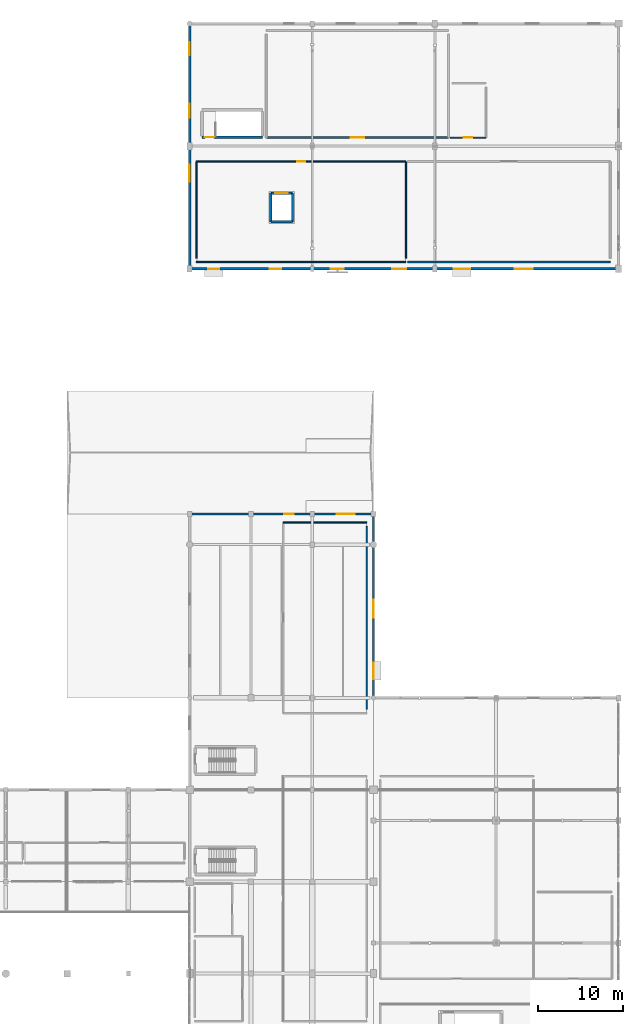
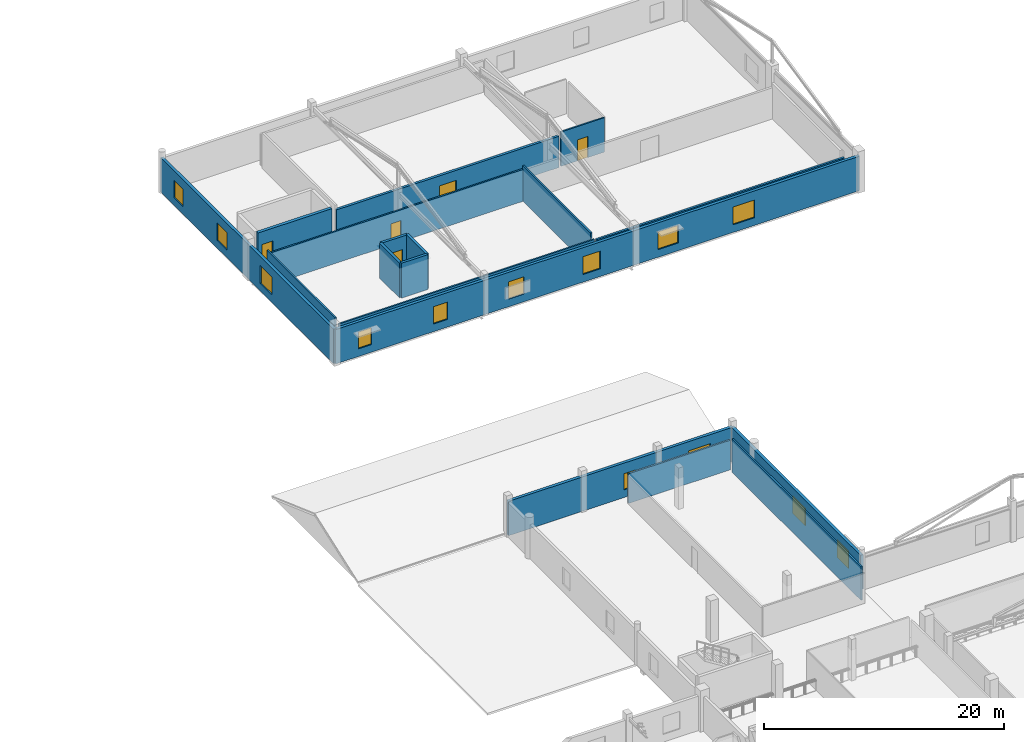
# One storey, part 71 of 92: 18 walls, 13 windows, 5 doors, 18 openings.
"""IFC4 building model written with IfcOpenShell, lengths in metres."""

from ifc_helpers import new_model, si_unit, direction, frame, frame_2d, origin, place, context, subcontext, project, spatial, rectangle, extrude, material, layer, layer_set, type_object, element, fill, save


model = new_model("IFC4")

# Units and contexts
model_context = context("Model", 3, precision=1e-05, world=origin(), true_north=direction((0.0, 1.0)))
body_context = subcontext(model_context, "Body", "Model", "MODEL_VIEW")
ifc_project = project(units=[si_unit("LENGTHUNIT", "METRE"), si_unit("AREAUNIT", "SQUARE_METRE"), si_unit("VOLUMEUNIT", "CUBIC_METRE"), si_unit("PLANEANGLEUNIT", "RADIAN"), si_unit("MASSUNIT", "GRAM", prefix="KILO")], contexts=[model_context])

# Site, building, storey
site_placement = place(None, origin())
site = spatial("IfcSite", under=ifc_project, at=site_placement, CompositionType="ELEMENT")
building_placement = place(site_placement, origin())
building = spatial("IfcBuilding", under=site, at=building_placement, Name="Solanera Park Tramway Depot", CompositionType="ELEMENT")
storey_placement = place(building_placement, frame((0.0, 0.0, 4.800048828125)))
storey = spatial("IfcBuildingStorey", under=building, at=storey_placement, Name="L01", CompositionType="ELEMENT", Elevation=4.800048828125)

# Walls
ifc_material_1 = material(Name="Concrete N32 (C32/40)", Category="concrete")
ifc_layer_1 = layer(ifc_material_1, 0.14990234375)
ifc_layer_set_1 = layer_set([ifc_layer_1], Name="Concrete N32 (C32/40)")
wall_type_1 = type_object("IfcWallType", Name="Acoustic Partition 150", PredefinedType="PARTITIONING", material=ifc_layer_set_1)
wall_1_placement = place(storey_placement, frame((191.0, 116.0, 0.0), z_axis=(0.0, 0.0, 1.0), x_axis=(-1.0, 0.0, 0.0)))
element("IfcWall", 1, at=wall_1_placement, inside=storey, type_object=wall_type_1, Name="Substation Protection and SCADA Room Dividing Wall", PredefinedType="PARTITIONING", context=body_context, shape_type="SweptSolid", body=[
    extrude(rectangle(XDim=24.60009765625, YDim=0.14990234375, at=frame_2d((12.300048828125, 0.0))), origin(), (0.0, 0.0, 1.0), 3.2529296875),
])
for number, where, z_axis, x_axis, name in (
    (2, (191.0, 116.449951171875, 0.0), (0.0, 0.0, 1.0), (0.0, 1.0, 0.0), "Substation Protection and SCADA Room Dividing Wall"),
    (3, (166.39990234375, 127.800048828125, 0.0), (0.0, 0.0, 1.0), (0.0, -1.0, 0.0), "Substation Protection and SCADA Room Dividing Wall"),
):
    element("IfcWall", number, at=place(storey_placement, frame(where, z_axis=z_axis, x_axis=x_axis)), inside=storey, type_object=wall_type_1, Name=name, PredefinedType="PARTITIONING", context=body_context, shape_type="SweptSolid", body=[
        extrude(rectangle(XDim=11.35009765625, YDim=0.14990234375, at=frame_2d((5.675048828125, 0.0))), origin(), (0.0, 0.0, 1.0), 3.599853515625),
    ])

# Wall, opening, door
wall_2_placement = place(storey_placement, frame((166.39990234375, 127.800048828125, 0.0), z_axis=(0.0, 0.0, 1.0), x_axis=(1.0, 0.0, 0.0)))
wall_2 = element("IfcWall", 4, at=wall_2_placement, inside=storey, type_object=wall_type_1, Name="Substation Protection and SCADA Room Corridor Wall", PredefinedType="PARTITIONING", context=body_context, shape_type="SweptSolid", body=[
    extrude(rectangle(XDim=24.60009765625, YDim=0.14990234375, at=frame_2d((12.300048828125, 0.0))), origin(), (0.0, 0.0, 1.0), 3.2529296875),
])
opening_1_placement = place(wall_2_placement, frame((11.820068359375, 0.0, 0.0)))
opening_1 = element("IfcOpeningElement", 5, at=opening_1_placement, cuts=wall_2, Name="Opening ID-O1L", PredefinedType="OPENING", context=body_context, shape_type="SweptSolid", body=[
    extrude(rectangle(XDim=0.9599609375, YDim=2.14990234375, at=frame_2d((0.47998046875, 1.074951171875))), frame((0.0, 0.0849609375, 0.0), z_axis=(0.0, -1.0, 0.0), x_axis=(1.0, 0.0, 0.0)), (0.0, 0.0, 1.0), 0.169921875),
])
ifc_material_2 = material(Name="Fire-rated steel or solid-core hardwood door leaf", Category="steel")
door_type_1 = type_object("IfcDoorType", Name="Office Single Door L 960x2150", OperationType="SINGLE_SWING_LEFT", PredefinedType="DOOR", material=ifc_material_2)
door_1_placement = place(opening_1_placement, origin())
door_1 = element("IfcDoor", 6, at=door_1_placement, inside=storey, type_object=door_type_1, Name="Substation Protection and SCADA Room Door", OperationType="SINGLE_SWING_LEFT", OverallHeight=2.14990234375, OverallWidth=0.9599609375, PredefinedType="DOOR", context=body_context, shape_type="SweptSolid", body=[
    extrude(rectangle(XDim=0.9599609375, YDim=2.14990234375, at=frame_2d((0.47998046875, 1.074951171875))), frame((0.0, 0.02490234375, 0.0), z_axis=(0.0, -1.0, 0.0), x_axis=(1.0, 0.0, 0.0)), (0.0, 0.0, 1.0), 0.050048828125),
])
fill(opening_1, door_1)

# Walls
wall_3_placement = place(storey_placement, frame((176.60009765625, 85.39990234375, 0.0), z_axis=(0.0, 0.0, 1.0), x_axis=(1.0, 0.0, 0.0)))
element("IfcWall", 7, at=wall_3_placement, inside=storey, type_object=wall_type_1, Name="Rolling Stock Reliability Records Office Dividing Wall", PredefinedType="PARTITIONING", context=body_context, shape_type="SweptSolid", body=[
    extrude(rectangle(XDim=9.7998046875, YDim=0.14990234375, at=frame_2d((4.89990234375, 0.0))), origin(), (0.0, 0.0, 1.0), 3.0068359375),
])
wall_4_placement = place(storey_placement, frame((186.39990234375, 63.449951171875, 0.0), z_axis=(0.0, 0.0, 1.0), x_axis=(0.0, 1.0, 0.0)))
element("IfcWall", 8, at=wall_4_placement, inside=storey, type_object=wall_type_1, Name="Rolling Stock Reliability Records Office Dividing Wall", PredefinedType="PARTITIONING", context=body_context, shape_type="SweptSolid", body=[
    extrude(rectangle(XDim=21.5, YDim=0.14990234375, at=frame_2d((10.75, 0.0))), origin(), (0.0, 0.0, 1.0), 3.406982421875),
])

# Wall, opening, door
ifc_material_3 = material(Name="Concrete N40 (C40/50)", Category="concrete")
ifc_layer_2 = layer(ifc_material_3, 0.300048828125)
ifc_layer_set_2 = layer_set([ifc_layer_2], Name="Concrete N40 (C40/50)")
wall_type_2 = type_object("IfcWallType", Name="Core Shear Wall 300", PredefinedType="SHEAR", material=ifc_layer_set_2)
wall_5_placement = place(storey_placement, frame((167.050048828125, 130.64990234375, 0.0), z_axis=(0.0, 0.0, 1.0), x_axis=(1.0, 0.0, 0.0)))
wall_5 = element("IfcWall", 9, at=wall_5_placement, inside=storey, type_object=wall_type_2, Name="ST-11 L01 Shear Core Wall S", PredefinedType="SHEAR", context=body_context, shape_type="SweptSolid", body=[
    extrude(rectangle(XDim=7.099853515625, YDim=0.300048828125, at=frame_2d((3.5498046875, 0.0))), origin(), (0.0, 0.0, 1.0), 3.449951171875),
])
opening_2_placement = place(wall_5_placement, frame((0.35009765625, 0.0, 0.0)))
opening_2 = element("IfcOpeningElement", 10, at=opening_2_placement, cuts=wall_5, Name="Opening FD-S1R", PredefinedType="OPENING", context=body_context, shape_type="SweptSolid", body=[
    extrude(rectangle(XDim=1.070068359375, YDim=2.14990234375, at=frame_2d((0.53515625, 1.074951171875))), frame((0.0, 0.16015625, 0.0), z_axis=(0.0, -1.0, 0.0), x_axis=(1.0, 0.0, 0.0)), (0.0, 0.0, 1.0), 0.320068359375),
])
ifc_material_4 = material(Name="Fire-rated steel or solid-core hardwood door leaf", Category="steel")
door_type_2 = type_object("IfcDoorType", Name="Stair Fire Door R 1070x2150", OperationType="SINGLE_SWING_RIGHT", PredefinedType="DOOR", material=ifc_material_4)
door_2_placement = place(opening_2_placement, origin())
door_2 = element("IfcDoor", 11, at=door_2_placement, inside=storey, type_object=door_type_2, Name="ST-11 L01 Stair Fire Door", OperationType="SINGLE_SWING_RIGHT", OverallHeight=2.14990234375, OverallWidth=1.070068359375, PredefinedType="DOOR", context=body_context, shape_type="SweptSolid", body=[
    extrude(rectangle(XDim=1.070068359375, YDim=2.14990234375, at=frame_2d((0.53515625, 1.074951171875))), frame((0.0, 0.02490234375, 0.0), z_axis=(0.0, -1.0, 0.0), x_axis=(1.0, 0.0, 0.0)), (0.0, 0.0, 1.0), 0.050048828125),
])
fill(opening_2, door_2)

# Wall, openings, windows
ifc_material_5 = material(Name="Concrete N32 (C32/40)", Category="concrete")
ifc_layer_3 = layer(ifc_material_5, 0.280029296875)
ifc_layer_set_3 = layer_set([ifc_layer_3], Name="Concrete N32 (C32/40)")
wall_type_3 = type_object("IfcWallType", Name="Ext Stucco Wall 280", PredefinedType="SOLIDWALL", material=ifc_layer_set_3)
wall_6_placement = place(storey_placement, frame((165.60009765625, 115.199951171875, 0.0), z_axis=(0.0, 0.0, 1.0), x_axis=(1.0, 0.0, 0.0)))
wall_6 = element("IfcWall", 12, at=wall_6_placement, inside=storey, type_object=wall_type_3, Name="L01 Exterior Wall #015", PredefinedType="SOLIDWALL", context=body_context, shape_type="SweptSolid", body=[
    extrude(rectangle(XDim=50.39990234375, YDim=0.280029296875, at=frame_2d((25.199951171875, 0.0))), origin(), (0.0, 0.0, 1.0), 3.5),
])
opening_3_placement = place(wall_6_placement, frame((2.199951171875, 0.0, 0.780029296875)))
opening_3 = element("IfcOpeningElement", 13, at=opening_3_placement, cuts=wall_6, Name="Opening WN-C12", PredefinedType="OPENING", context=body_context, shape_type="SweptSolid", body=[
    extrude(rectangle(XDim=1.25, YDim=1.699951171875, at=frame_2d((0.625, 0.85009765625))), frame((0.0, 0.14990234375, 0.0), z_axis=(0.0, -1.0, 0.0), x_axis=(1.0, 0.0, 0.0)), (0.0, 0.0, 1.0), 0.300048828125),
])
opening_4_placement = place(wall_6_placement, frame((9.39990234375, 0.0, 0.780029296875)))
opening_4 = element("IfcOpeningElement", 14, at=opening_4_placement, cuts=wall_6, Name="Opening WN-C13", PredefinedType="OPENING", context=body_context, shape_type="SweptSolid", body=[
    extrude(rectangle(XDim=1.35009765625, YDim=1.75, at=frame_2d((0.675048828125, 0.875))), frame((0.0, 0.14990234375, 0.0), z_axis=(0.0, -1.0, 0.0), x_axis=(1.0, 0.0, 0.0)), (0.0, 0.0, 1.0), 0.300048828125),
])
opening_5_placement = place(wall_6_placement, frame((16.60009765625, 0.0, 0.780029296875)))
opening_5 = element("IfcOpeningElement", 15, at=opening_5_placement, cuts=wall_6, Name="Opening WN-C15", PredefinedType="OPENING", context=body_context, shape_type="SweptSolid", body=[
    extrude(rectangle(XDim=1.5, YDim=1.75, at=frame_2d((0.75, 0.875))), frame((0.0, 0.14990234375, 0.0), z_axis=(0.0, -1.0, 0.0), x_axis=(1.0, 0.0, 0.0)), (0.0, 0.0, 1.0), 0.300048828125),
])
opening_6_placement = place(wall_6_placement, frame((23.800048828125, 0.0, 0.780029296875)))
opening_6 = element("IfcOpeningElement", 16, at=opening_6_placement, cuts=wall_6, Name="Opening WN-C16", PredefinedType="OPENING", context=body_context, shape_type="SweptSolid", body=[
    extrude(rectangle(XDim=1.64990234375, YDim=1.800048828125, at=frame_2d((0.824951171875, 0.89990234375))), frame((0.0, 0.14990234375, 0.0), z_axis=(0.0, -1.0, 0.0), x_axis=(1.0, 0.0, 0.0)), (0.0, 0.0, 1.0), 0.300048828125),
])
opening_7_placement = place(wall_6_placement, frame((31.0, 0.0, 0.780029296875)))
opening_7 = element("IfcOpeningElement", 17, at=opening_7_placement, cuts=wall_6, Name="Opening WN-C19", PredefinedType="OPENING", context=body_context, shape_type="SweptSolid", body=[
    extrude(rectangle(XDim=1.949951171875, YDim=1.800048828125, at=frame_2d((0.97509765625, 0.89990234375))), frame((0.0, 0.14990234375, 0.0), z_axis=(0.0, -1.0, 0.0), x_axis=(1.0, 0.0, 0.0)), (0.0, 0.0, 1.0), 0.300048828125),
])
opening_8_placement = place(wall_6_placement, frame((38.199951171875, 0.0, 0.780029296875)))
opening_8 = element("IfcOpeningElement", 18, at=opening_8_placement, cuts=wall_6, Name="Opening WN-C21", PredefinedType="OPENING", context=body_context, shape_type="SweptSolid", body=[
    extrude(rectangle(XDim=2.10009765625, YDim=1.800048828125, at=frame_2d((1.050048828125, 0.89990234375))), frame((0.0, 0.14990234375, 0.0), z_axis=(0.0, -1.0, 0.0), x_axis=(1.0, 0.0, 0.0)), (0.0, 0.0, 1.0), 0.300048828125),
])
ifc_material_6 = material(Name="Powder-coated aluminium frame with solar-control double glazing", Category="aluminium")
window_type_1 = type_object("IfcWindowType", Name="Cloister Casement Window 1250x1700", PartitioningType="SINGLE_PANEL", PredefinedType="WINDOW", material=ifc_material_6)
window_1_placement = place(opening_3_placement, origin())
window_1 = element("IfcWindow", 19, at=window_1_placement, inside=storey, type_object=window_type_1, Name="L01 Cloister Casement Window 1250x1700 #0076", OverallHeight=1.699951171875, OverallWidth=1.25, PartitioningType="SINGLE_PANEL", PredefinedType="WINDOW", context=body_context, shape_type="SweptSolid", body=[
    extrude(rectangle(XDim=1.25, YDim=1.699951171875, at=frame_2d((0.625, 0.85009765625))), frame((0.0, 0.030029296875, 0.0), z_axis=(0.0, -1.0, 0.0), x_axis=(1.0, 0.0, 0.0)), (0.0, 0.0, 1.0), 0.06005859375),
])
fill(opening_3, window_1)
ifc_material_7 = material(Name="Powder-coated aluminium frame with solar-control double glazing", Category="aluminium")
window_type_2 = type_object("IfcWindowType", Name="Cloister Casement Window 1350x1750", PartitioningType="SINGLE_PANEL", PredefinedType="WINDOW", material=ifc_material_7)
window_2_placement = place(opening_4_placement, origin())
window_2 = element("IfcWindow", 20, at=window_2_placement, inside=storey, type_object=window_type_2, Name="L01 Cloister Casement Window 1350x1750 #0077", OverallHeight=1.75, OverallWidth=1.35009765625, PartitioningType="SINGLE_PANEL", PredefinedType="WINDOW", context=body_context, shape_type="SweptSolid", body=[
    extrude(rectangle(XDim=1.35009765625, YDim=1.75, at=frame_2d((0.675048828125, 0.875))), frame((0.0, 0.030029296875, 0.0), z_axis=(0.0, -1.0, 0.0), x_axis=(1.0, 0.0, 0.0)), (0.0, 0.0, 1.0), 0.06005859375),
])
fill(opening_4, window_2)
ifc_material_8 = material(Name="Powder-coated aluminium frame with solar-control double glazing", Category="aluminium")
window_type_3 = type_object("IfcWindowType", Name="Cloister Casement Window 1500x1750", PartitioningType="SINGLE_PANEL", PredefinedType="WINDOW", material=ifc_material_8)
window_3_placement = place(opening_5_placement, origin())
window_3 = element("IfcWindow", 21, at=window_3_placement, inside=storey, type_object=window_type_3, Name="L01 Cloister Casement Window 1500x1750 #0078", OverallHeight=1.75, OverallWidth=1.5, PartitioningType="SINGLE_PANEL", PredefinedType="WINDOW", context=body_context, shape_type="SweptSolid", body=[
    extrude(rectangle(XDim=1.5, YDim=1.75, at=frame_2d((0.75, 0.875))), frame((0.0, 0.030029296875, 0.0), z_axis=(0.0, -1.0, 0.0), x_axis=(1.0, 0.0, 0.0)), (0.0, 0.0, 1.0), 0.06005859375),
])
fill(opening_5, window_3)
ifc_material_9 = material(Name="Powder-coated aluminium frame with solar-control double glazing", Category="aluminium")
window_type_4 = type_object("IfcWindowType", Name="Cloister Casement Window 1650x1800", PartitioningType="SINGLE_PANEL", PredefinedType="WINDOW", material=ifc_material_9)
window_4_placement = place(opening_6_placement, origin())
window_4 = element("IfcWindow", 22, at=window_4_placement, inside=storey, type_object=window_type_4, Name="L01 Cloister Casement Window 1650x1800 #0079", OverallHeight=1.800048828125, OverallWidth=1.64990234375, PartitioningType="SINGLE_PANEL", PredefinedType="WINDOW", context=body_context, shape_type="SweptSolid", body=[
    extrude(rectangle(XDim=1.64990234375, YDim=1.800048828125, at=frame_2d((0.824951171875, 0.89990234375))), frame((0.0, 0.030029296875, 0.0), z_axis=(0.0, -1.0, 0.0), x_axis=(1.0, 0.0, 0.0)), (0.0, 0.0, 1.0), 0.06005859375),
])
fill(opening_6, window_4)
ifc_material_10 = material(Name="Powder-coated aluminium frame with solar-control double glazing", Category="aluminium")
window_type_5 = type_object("IfcWindowType", Name="Cloister Casement Window 1950x1800", PartitioningType="SINGLE_PANEL", PredefinedType="WINDOW", material=ifc_material_10)
window_5_placement = place(opening_7_placement, origin())
window_5 = element("IfcWindow", 23, at=window_5_placement, inside=storey, type_object=window_type_5, Name="L01 Cloister Casement Window 1950x1800 #0080", OverallHeight=1.800048828125, OverallWidth=1.949951171875, PartitioningType="SINGLE_PANEL", PredefinedType="WINDOW", context=body_context, shape_type="SweptSolid", body=[
    extrude(rectangle(XDim=1.949951171875, YDim=1.800048828125, at=frame_2d((0.97509765625, 0.89990234375))), frame((0.0, 0.030029296875, 0.0), z_axis=(0.0, -1.0, 0.0), x_axis=(1.0, 0.0, 0.0)), (0.0, 0.0, 1.0), 0.06005859375),
])
fill(opening_7, window_5)
ifc_material_11 = material(Name="Powder-coated aluminium frame with solar-control double glazing", Category="aluminium")
window_type_6 = type_object("IfcWindowType", Name="Cloister Casement Window 2100x1800", PartitioningType="SINGLE_PANEL", PredefinedType="WINDOW", material=ifc_material_11)
window_6_placement = place(opening_8_placement, origin())
window_6 = element("IfcWindow", 24, at=window_6_placement, inside=storey, type_object=window_type_6, Name="L01 Cloister Casement Window 2100x1800 #0081", OverallHeight=1.800048828125, OverallWidth=2.10009765625, PartitioningType="SINGLE_PANEL", PredefinedType="WINDOW", context=body_context, shape_type="SweptSolid", body=[
    extrude(rectangle(XDim=2.10009765625, YDim=1.800048828125, at=frame_2d((1.050048828125, 0.89990234375))), frame((0.0, 0.030029296875, 0.0), z_axis=(0.0, -1.0, 0.0), x_axis=(1.0, 0.0, 0.0)), (0.0, 0.0, 1.0), 0.06005859375),
])
fill(opening_8, window_6)

wall_7_placement = place(storey_placement, frame((165.60009765625, 144.0, 0.0), z_axis=(0.0, 0.0, 1.0), x_axis=(0.0, -1.0, 0.0)))
wall_7 = element("IfcWall", 25, at=wall_7_placement, inside=storey, type_object=wall_type_3, Name="L01 Exterior Wall #017", PredefinedType="SOLIDWALL", context=body_context, shape_type="SweptSolid", body=[
    extrude(rectangle(XDim=28.800048828125, YDim=0.280029296875, at=frame_2d((14.39990234375, 0.0))), origin(), (0.0, 0.0, 1.0), 3.5),
])
opening_9_placement = place(wall_7_placement, frame((2.199951171875, 0.0, 0.780029296875)))
opening_9 = element("IfcOpeningElement", 26, at=opening_9_placement, cuts=wall_7, Name="Opening WN-C15", PredefinedType="OPENING", context=body_context, shape_type="SweptSolid", body=[
    extrude(rectangle(XDim=1.5, YDim=1.75, at=frame_2d((0.75, 0.875))), frame((0.0, 0.14990234375, 0.0), z_axis=(0.0, -1.0, 0.0), x_axis=(1.0, 0.0, 0.0)), (0.0, 0.0, 1.0), 0.300048828125),
])
opening_10_placement = place(wall_7_placement, frame((9.39990234375, 0.0, 0.780029296875)))
opening_10 = element("IfcOpeningElement", 27, at=opening_10_placement, cuts=wall_7, Name="Opening WN-C16", PredefinedType="OPENING", context=body_context, shape_type="SweptSolid", body=[
    extrude(rectangle(XDim=1.64990234375, YDim=1.800048828125, at=frame_2d((0.824951171875, 0.89990234375))), frame((0.0, 0.14990234375, 0.0), z_axis=(0.0, -1.0, 0.0), x_axis=(1.0, 0.0, 0.0)), (0.0, 0.0, 1.0), 0.300048828125),
])
opening_11_placement = place(wall_7_placement, frame((16.60009765625, 0.0, 0.780029296875)))
opening_11 = element("IfcOpeningElement", 28, at=opening_11_placement, cuts=wall_7, Name="Opening WN-C19", PredefinedType="OPENING", context=body_context, shape_type="SweptSolid", body=[
    extrude(rectangle(XDim=1.949951171875, YDim=1.800048828125, at=frame_2d((0.97509765625, 0.89990234375))), frame((0.0, 0.14990234375, 0.0), z_axis=(0.0, -1.0, 0.0), x_axis=(1.0, 0.0, 0.0)), (0.0, 0.0, 1.0), 0.300048828125),
])
window_7_placement = place(opening_9_placement, origin())
window_7 = element("IfcWindow", 29, at=window_7_placement, inside=storey, type_object=window_type_3, Name="L01 Cloister Casement Window 1500x1750 #0088", OverallHeight=1.75, OverallWidth=1.5, PartitioningType="SINGLE_PANEL", PredefinedType="WINDOW", context=body_context, shape_type="SweptSolid", body=[
    extrude(rectangle(XDim=1.5, YDim=1.75, at=frame_2d((0.75, 0.875))), frame((0.0, 0.030029296875, 0.0), z_axis=(0.0, -1.0, 0.0), x_axis=(1.0, 0.0, 0.0)), (0.0, 0.0, 1.0), 0.06005859375),
])
fill(opening_9, window_7)
window_8_placement = place(opening_10_placement, origin())
window_8 = element("IfcWindow", 30, at=window_8_placement, inside=storey, type_object=window_type_4, Name="L01 Cloister Casement Window 1650x1800 #0089", OverallHeight=1.800048828125, OverallWidth=1.64990234375, PartitioningType="SINGLE_PANEL", PredefinedType="WINDOW", context=body_context, shape_type="SweptSolid", body=[
    extrude(rectangle(XDim=1.64990234375, YDim=1.800048828125, at=frame_2d((0.824951171875, 0.89990234375))), frame((0.0, 0.030029296875, 0.0), z_axis=(0.0, -1.0, 0.0), x_axis=(1.0, 0.0, 0.0)), (0.0, 0.0, 1.0), 0.06005859375),
])
fill(opening_10, window_8)
window_9_placement = place(opening_11_placement, origin())
window_9 = element("IfcWindow", 31, at=window_9_placement, inside=storey, type_object=window_type_5, Name="L01 Cloister Casement Window 1950x1800 #0090", OverallHeight=1.800048828125, OverallWidth=1.949951171875, PartitioningType="SINGLE_PANEL", PredefinedType="WINDOW", context=body_context, shape_type="SweptSolid", body=[
    extrude(rectangle(XDim=1.949951171875, YDim=1.800048828125, at=frame_2d((0.97509765625, 0.89990234375))), frame((0.0, 0.030029296875, 0.0), z_axis=(0.0, -1.0, 0.0), x_axis=(1.0, 0.0, 0.0)), (0.0, 0.0, 1.0), 0.06005859375),
])
fill(opening_11, window_9)

wall_8_placement = place(storey_placement, frame((187.199951171875, 64.800048828125, 0.0), z_axis=(0.0, 0.0, 1.0), x_axis=(0.0, 1.0, 0.0)))
wall_8 = element("IfcWall", 32, at=wall_8_placement, inside=storey, type_object=wall_type_3, Name="L01 Exterior Wall #026", PredefinedType="SOLIDWALL", context=body_context, shape_type="SweptSolid", body=[
    extrude(rectangle(XDim=21.599853515625, YDim=0.280029296875, at=frame_2d((10.7998046875, 0.0))), origin(), (0.0, 0.0, 1.0), 3.5),
])
opening_12_placement = place(wall_8_placement, frame((2.199951171875, 0.0, 0.780029296875)))
opening_12 = element("IfcOpeningElement", 33, at=opening_12_placement, cuts=wall_8, Name="Opening WN-C19", PredefinedType="OPENING", context=body_context, shape_type="SweptSolid", body=[
    extrude(rectangle(XDim=1.949951171875, YDim=1.800048828125, at=frame_2d((0.97509765625, 0.89990234375))), frame((0.0, 0.14990234375, 0.0), z_axis=(0.0, -1.0, 0.0), x_axis=(1.0, 0.0, 0.0)), (0.0, 0.0, 1.0), 0.300048828125),
])
opening_13_placement = place(wall_8_placement, frame((9.39990234375, 0.0, 0.780029296875)))
opening_13 = element("IfcOpeningElement", 34, at=opening_13_placement, cuts=wall_8, Name="Opening WN-C21", PredefinedType="OPENING", context=body_context, shape_type="SweptSolid", body=[
    extrude(rectangle(XDim=2.10009765625, YDim=1.800048828125, at=frame_2d((1.050048828125, 0.89990234375))), frame((0.0, 0.14990234375, 0.0), z_axis=(0.0, -1.0, 0.0), x_axis=(1.0, 0.0, 0.0)), (0.0, 0.0, 1.0), 0.300048828125),
])
window_10_placement = place(opening_12_placement, origin())
window_10 = element("IfcWindow", 35, at=window_10_placement, inside=storey, type_object=window_type_5, Name="L01 Cloister Casement Window 1950x1800 #0124", OverallHeight=1.800048828125, OverallWidth=1.949951171875, PartitioningType="SINGLE_PANEL", PredefinedType="WINDOW", context=body_context, shape_type="SweptSolid", body=[
    extrude(rectangle(XDim=1.949951171875, YDim=1.800048828125, at=frame_2d((0.97509765625, 0.89990234375))), frame((0.0, 0.030029296875, 0.0), z_axis=(0.0, -1.0, 0.0), x_axis=(1.0, 0.0, 0.0)), (0.0, 0.0, 1.0), 0.06005859375),
])
fill(opening_12, window_10)
window_11_placement = place(opening_13_placement, origin())
window_11 = element("IfcWindow", 36, at=window_11_placement, inside=storey, type_object=window_type_6, Name="L01 Cloister Casement Window 2100x1800 #0125", OverallHeight=1.800048828125, OverallWidth=2.10009765625, PartitioningType="SINGLE_PANEL", PredefinedType="WINDOW", context=body_context, shape_type="SweptSolid", body=[
    extrude(rectangle(XDim=2.10009765625, YDim=1.800048828125, at=frame_2d((1.050048828125, 0.89990234375))), frame((0.0, 0.030029296875, 0.0), z_axis=(0.0, -1.0, 0.0), x_axis=(1.0, 0.0, 0.0)), (0.0, 0.0, 1.0), 0.06005859375),
])
fill(opening_13, window_11)

wall_9_placement = place(storey_placement, frame((187.199951171875, 86.39990234375, 0.0), z_axis=(0.0, 0.0, 1.0), x_axis=(-1.0, 0.0, 0.0)))
wall_9 = element("IfcWall", 37, at=wall_9_placement, inside=storey, type_object=wall_type_3, Name="L01 Exterior Wall #027", PredefinedType="SOLIDWALL", context=body_context, shape_type="SweptSolid", body=[
    extrude(rectangle(XDim=21.599853515625, YDim=0.280029296875, at=frame_2d((10.7998046875, 0.0))), origin(), (0.0, 0.0, 1.0), 3.5),
])
opening_14_placement = place(wall_9_placement, frame((2.199951171875, 0.0, 0.780029296875)))
opening_14 = element("IfcOpeningElement", 38, at=opening_14_placement, cuts=wall_9, Name="Opening WN-C21", PredefinedType="OPENING", context=body_context, shape_type="SweptSolid", body=[
    extrude(rectangle(XDim=2.10009765625, YDim=1.800048828125, at=frame_2d((1.050048828125, 0.89990234375))), frame((0.0, 0.14990234375, 0.0), z_axis=(0.0, -1.0, 0.0), x_axis=(1.0, 0.0, 0.0)), (0.0, 0.0, 1.0), 0.300048828125),
])
opening_15_placement = place(wall_9_placement, frame((9.39990234375, 0.0, 0.780029296875)))
opening_15 = element("IfcOpeningElement", 39, at=opening_15_placement, cuts=wall_9, Name="Opening WN-C11", PredefinedType="OPENING", context=body_context, shape_type="SweptSolid", body=[
    extrude(rectangle(XDim=1.10009765625, YDim=1.64990234375, at=frame_2d((0.550048828125, 0.824951171875))), frame((0.0, 0.14990234375, 0.0), z_axis=(0.0, -1.0, 0.0), x_axis=(1.0, 0.0, 0.0)), (0.0, 0.0, 1.0), 0.300048828125),
])
ifc_material_12 = material(Name="Powder-coated aluminium frame with solar-control double glazing", Category="aluminium")
window_type_7 = type_object("IfcWindowType", Name="Cloister Casement Window 1100x1650", PartitioningType="SINGLE_PANEL", PredefinedType="WINDOW", material=ifc_material_12)
window_12_placement = place(opening_15_placement, origin())
window_12 = element("IfcWindow", 40, at=window_12_placement, inside=storey, type_object=window_type_7, Name="L01 Cloister Casement Window 1100x1650 #0127", OverallHeight=1.64990234375, OverallWidth=1.10009765625, PartitioningType="SINGLE_PANEL", PredefinedType="WINDOW", context=body_context, shape_type="SweptSolid", body=[
    extrude(rectangle(XDim=1.10009765625, YDim=1.64990234375, at=frame_2d((0.550048828125, 0.824951171875))), frame((0.0, 0.030029296875, 0.0), z_axis=(0.0, -1.0, 0.0), x_axis=(1.0, 0.0, 0.0)), (0.0, 0.0, 1.0), 0.06005859375),
])
fill(opening_15, window_12)
window_13_placement = place(opening_14_placement, origin())
window_13 = element("IfcWindow", 41, at=window_13_placement, inside=storey, type_object=window_type_6, Name="L01 Cloister Casement Window 2100x1800 #0126", OverallHeight=1.800048828125, OverallWidth=2.10009765625, PartitioningType="SINGLE_PANEL", PredefinedType="WINDOW", context=body_context, shape_type="SweptSolid", body=[
    extrude(rectangle(XDim=2.10009765625, YDim=1.800048828125, at=frame_2d((1.050048828125, 0.89990234375))), frame((0.0, 0.030029296875, 0.0), z_axis=(0.0, -1.0, 0.0), x_axis=(1.0, 0.0, 0.0)), (0.0, 0.0, 1.0), 0.06005859375),
])
fill(opening_14, window_13)

# Wall
ifc_material_13 = material(Name="Concrete N32 (C32/40)", Category="concrete")
ifc_layer_4 = layer(ifc_material_13, 0.199951171875)
ifc_layer_set_4 = layer_set([ifc_layer_4], Name="Concrete N32 (C32/40)")
wall_type_4 = type_object("IfcWallType", Name="Fire Compartment Wall 200", PredefinedType="SOLIDWALL", material=ifc_layer_set_4)
wall_10_placement = place(storey_placement, frame((215.0, 116.0, 0.0), z_axis=(0.0, 0.0, 1.0), x_axis=(-1.0, 0.0, 0.0)))
element("IfcWall", 42, at=wall_10_placement, inside=storey, type_object=wall_type_4, Name="Wash Hall Heat-Recovery AHU Plant Room Dividing Wall", PredefinedType="SOLIDWALL", context=body_context, shape_type="SweptSolid", body=[
    extrude(rectangle(XDim=23.800048828125, YDim=0.199951171875, at=frame_2d((11.89990234375, 0.0))), origin(), (0.0, 0.0, 1.0), 3.17431640625),
])

# Wall, opening, door
ifc_material_14 = material(Name="Concrete N32 (C32/40)", Category="concrete")
ifc_layer_5 = layer(ifc_material_14, 0.239990234375)
ifc_layer_set_5 = layer_set([ifc_layer_5], Name="Concrete N32 (C32/40)")
wall_type_5 = type_object("IfcWallType", Name="Inter-Class Fire Wall 240", PredefinedType="SOLIDWALL", material=ifc_layer_set_5)
wall_11_placement = place(storey_placement, frame((196.0, 130.60009765625, 0.0), z_axis=(0.0, 0.0, 1.0), x_axis=(-1.0, 0.0, 0.0)))
wall_11 = element("IfcWall", 43, at=wall_11_placement, inside=storey, type_object=wall_type_5, Name="Biodegradable Detergent Dosing Room Corridor Wall", PredefinedType="SOLIDWALL", context=body_context, shape_type="SweptSolid", body=[
    extrude(rectangle(XDim=21.39990234375, YDim=0.239990234375, at=frame_2d((10.699951171875, 0.0))), origin(), (0.0, 0.0, 1.0), 3.17431640625),
])
opening_16_placement = place(wall_11_placement, frame((9.89990234375, 0.0, 0.0)))
opening_16 = element("IfcOpeningElement", 44, at=opening_16_placement, cuts=wall_11, Name="Opening FD-K2D", PredefinedType="OPENING", context=body_context, shape_type="SweptSolid", body=[
    extrude(rectangle(XDim=1.60009765625, YDim=2.14990234375, at=frame_2d((0.800048828125, 1.074951171875))), frame((0.0, 0.1298828125, 0.0), z_axis=(0.0, -1.0, 0.0), x_axis=(1.0, 0.0, 0.0)), (0.0, 0.0, 1.0), 0.260009765625),
])
ifc_material_15 = material(Name="Fire-rated steel or solid-core hardwood door leaf", Category="steel")
door_type_3 = type_object("IfcDoorType", Name="Store Double Fire Door 1600x2150", OperationType="DOUBLE_SWING_RIGHT", PredefinedType="DOOR", material=ifc_material_15)
door_3_placement = place(opening_16_placement, origin())
door_3 = element("IfcDoor", 45, at=door_3_placement, inside=storey, type_object=door_type_3, Name="Biodegradable Detergent Dosing Room Door", OperationType="DOUBLE_SWING_RIGHT", OverallHeight=2.14990234375, OverallWidth=1.60009765625, PredefinedType="DOOR", context=body_context, shape_type="SweptSolid", body=[
    extrude(rectangle(XDim=1.60009765625, YDim=2.14990234375, at=frame_2d((0.800048828125, 1.074951171875))), frame((0.0, 0.02490234375, 0.0), z_axis=(0.0, -1.0, 0.0), x_axis=(1.0, 0.0, 0.0)), (0.0, 0.0, 1.0), 0.050048828125),
])
fill(opening_16, door_3)

# Wall
ifc_material_16 = material(Name="Concrete N40 (C40/50)", Category="concrete")
ifc_layer_6 = layer(ifc_material_16, 0.25)
ifc_layer_set_6 = layer_set([ifc_layer_6], Name="Concrete N40 (C40/50)")
wall_type_6 = type_object("IfcWallType", Name="Lift Shaft Shear Wall 250", PredefinedType="SHEAR", material=ifc_layer_set_6)
wall_12_placement = place(storey_placement, frame((175.125, 120.72509765625, 0.0), z_axis=(0.0, 0.0, 1.0), x_axis=(1.0, 0.0, 0.0)))
element("IfcWall", 46, at=wall_12_placement, inside=storey, type_object=wall_type_6, Name="LF-06 L01 Lift Shaft Wall S", PredefinedType="SHEAR", context=body_context, shape_type="SweptSolid", body=[
    extrude(rectangle(XDim=2.550048828125, YDim=0.25, at=frame_2d((1.27490234375, 0.0))), origin(), (0.0, 0.0, 1.0), 3.550048828125),
])

# Wall, opening, door
wall_13_placement = place(storey_placement, frame((177.675048828125, 124.074951171875, 0.0), z_axis=(0.0, 0.0, 1.0), x_axis=(-1.0, 0.0, 0.0)))
wall_13 = element("IfcWall", 47, at=wall_13_placement, inside=storey, type_object=wall_type_6, Name="LF-06 L01 Lift Shaft Wall N", PredefinedType="SHEAR", context=body_context, shape_type="SweptSolid", body=[
    extrude(rectangle(XDim=2.550048828125, YDim=0.25, at=frame_2d((1.27490234375, 0.0))), origin(), (0.0, 0.0, 1.0), 3.550048828125),
])
opening_17_placement = place(wall_13_placement, frame((0.52490234375, 0.0, 0.0)))
opening_17 = element("IfcOpeningElement", 48, at=opening_17_placement, cuts=wall_13, Name="Opening LD-02", PredefinedType="OPENING", context=body_context, shape_type="SweptSolid", body=[
    extrude(rectangle(XDim=1.5, YDim=2.199951171875, at=frame_2d((0.75, 1.10009765625))), frame((0.0, 0.135009765625, 0.0), z_axis=(0.0, -1.0, 0.0), x_axis=(1.0, 0.0, 0.0)), (0.0, 0.0, 1.0), 0.27001953125),
])
ifc_material_17 = material(Name="Fire-rated steel or solid-core hardwood door leaf", Category="steel")
door_type_4 = type_object("IfcDoorType", Name="Goods Lift Sliding Door 1500x2200", OperationType="SLIDING_TO_RIGHT", PredefinedType="DOOR", material=ifc_material_17)
door_4_placement = place(opening_17_placement, origin())
door_4 = element("IfcDoor", 49, at=door_4_placement, inside=storey, type_object=door_type_4, Name="LF-06 L01 Lift Landing Sliding Door", OperationType="SLIDING_TO_RIGHT", OverallHeight=2.199951171875, OverallWidth=1.5, PredefinedType="DOOR", context=body_context, shape_type="SweptSolid", body=[
    extrude(rectangle(XDim=1.5, YDim=2.199951171875, at=frame_2d((0.75, 1.10009765625))), frame((0.0, 0.02490234375, 0.0), z_axis=(0.0, -1.0, 0.0), x_axis=(1.0, 0.0, 0.0)), (0.0, 0.0, 1.0), 0.050048828125),
])
fill(opening_17, door_4)

# Walls
for number, where, z_axis, x_axis, name in (
    (50, (175.125, 124.074951171875, 0.0), (0.0, 0.0, 1.0), (0.0, -1.0, 0.0), "LF-06 L01 Lift Shaft Wall W"),
    (51, (177.675048828125, 120.72509765625, 0.0), (0.0, 0.0, 1.0), (0.0, 1.0, 0.0), "LF-06 L01 Lift Shaft Wall E"),
):
    element("IfcWall", number, at=place(storey_placement, frame(where, z_axis=z_axis, x_axis=x_axis)), inside=storey, type_object=wall_type_6, Name=name, PredefinedType="SHEAR", context=body_context, shape_type="SweptSolid", body=[
        extrude(rectangle(XDim=3.349853515625, YDim=0.25, at=frame_2d((1.6748046875, 0.0))), origin(), (0.0, 0.0, 1.0), 3.550048828125),
    ])

# Wall, opening, door
ifc_material_18 = material(Name="Concrete N32 (C32/40)", Category="concrete")
ifc_layer_7 = layer(ifc_material_18, 0.139892578125)
ifc_layer_set_7 = layer_set([ifc_layer_7], Name="Concrete N32 (C32/40)")
wall_type_7 = type_object("IfcWallType", Name="Wet Area Partition 140", PredefinedType="PARTITIONING", material=ifc_layer_set_7)
wall_14_placement = place(storey_placement, frame((200.39990234375, 130.60009765625, 0.0), z_axis=(0.0, 0.0, 1.0), x_axis=(-1.0, 0.0, 0.0)))
wall_14 = element("IfcWall", 52, at=wall_14_placement, inside=storey, type_object=wall_type_7, Name="Substation Gallery Accessible WC L01 Corridor Wall", PredefinedType="PARTITIONING", context=body_context, shape_type="SweptSolid", body=[
    extrude(rectangle(XDim=4.199951171875, YDim=0.139892578125, at=frame_2d((2.10009765625, 0.0))), origin(), (0.0, 0.0, 1.0), 3.5),
])
opening_18_placement = place(wall_14_placement, frame((1.60498046875, 0.0, 0.0)))
opening_18 = element("IfcOpeningElement", 53, at=opening_18_placement, cuts=wall_14, Name="Opening ID-W1R", PredefinedType="OPENING", context=body_context, shape_type="SweptSolid", body=[
    extrude(rectangle(XDim=0.989990234375, YDim=2.14990234375, at=frame_2d((0.4951171875, 1.074951171875))), frame((0.0, 0.080078125, 0.0), z_axis=(0.0, -1.0, 0.0), x_axis=(1.0, 0.0, 0.0)), (0.0, 0.0, 1.0), 0.159912109375),
])
ifc_material_19 = material(Name="Fire-rated steel or solid-core hardwood door leaf", Category="steel")
door_type_5 = type_object("IfcDoorType", Name="Accessible WC Door R 990x2150", OperationType="SINGLE_SWING_RIGHT", PredefinedType="DOOR", material=ifc_material_19)
door_5_placement = place(opening_18_placement, origin())
door_5 = element("IfcDoor", 54, at=door_5_placement, inside=storey, type_object=door_type_5, Name="Substation Gallery Accessible WC L01 Door", OperationType="SINGLE_SWING_RIGHT", OverallHeight=2.14990234375, OverallWidth=0.989990234375, PredefinedType="DOOR", context=body_context, shape_type="SweptSolid", body=[
    extrude(rectangle(XDim=0.989990234375, YDim=2.14990234375, at=frame_2d((0.4951171875, 1.074951171875))), frame((0.0, 0.02490234375, 0.0), z_axis=(0.0, -1.0, 0.0), x_axis=(1.0, 0.0, 0.0)), (0.0, 0.0, 1.0), 0.050048828125),
])
fill(opening_18, door_5)

save(model, "model.ifc")
